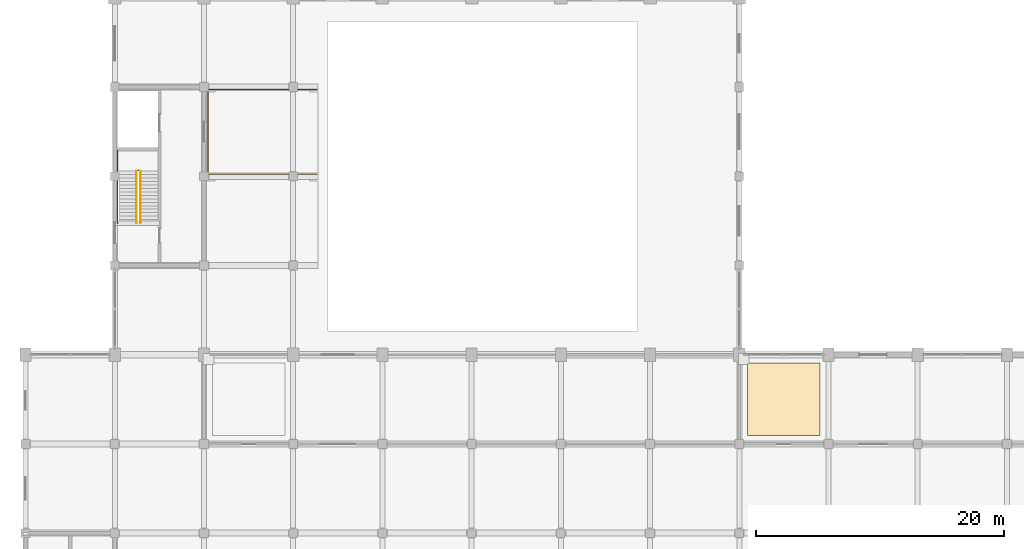
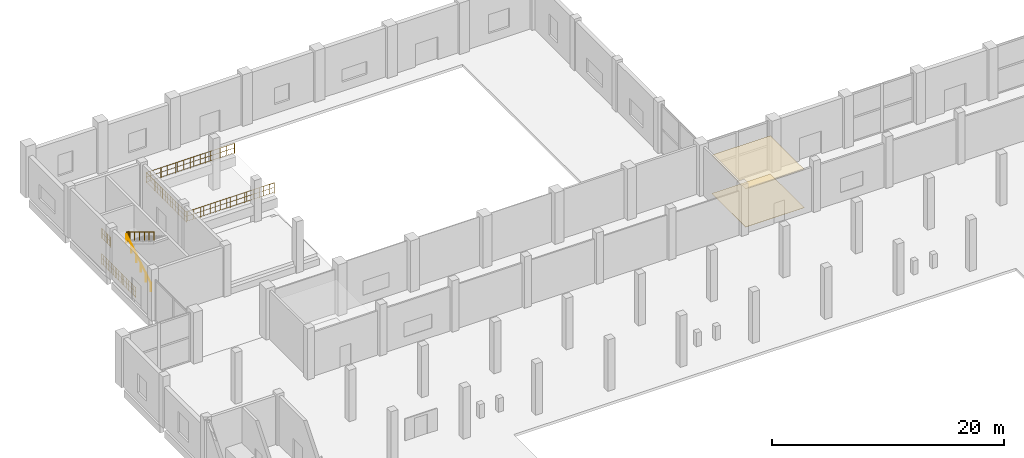
# One storey, part 64 of 70: 6 railings, 2 coverings.
"""IFC4 building model written with IfcOpenShell, lengths in metres."""

import ifcopenshell
import ifcopenshell.guid

model = None  # the IFC model being written
_history = None  # IfcOwnerHistory: only IFC2X3 demands one
_inside = {}  # id of a spatial element -> (the spatial element, [elements in it])
_under = {}  # id of a project, library or spatial element -> (it, [spatial elements below it])
_declared = {}  # id of a project -> (the project, [libraries it declares])
_typed = {}  # id of a type object -> (the type object, [elements of that type])
_made_of = {}  # id of a material, layer set ... -> (it, [elements and type objects made of it])


def new_model(schema):
    """Start an empty IFC model of exactly this schema.

    Asked for "IFC4X3", IfcOpenShell would pick the latest addendum, in which some entities
    have other attributes; the version numbers below select the first issue.
    IFC2X3 requires an IfcOwnerHistory on every rooted entity: one is made here for all.
    """
    global model, _history
    if schema == "IFC4X3":
        model = ifcopenshell.file(schema_version=(4, 3, 0, 0))
    else:
        model = ifcopenshell.file(schema=schema)
    _inside.clear()
    _under.clear()
    _declared.clear()
    _typed.clear()
    _made_of.clear()
    _history = None
    if model.schema == "IFC2X3":
        org = make("IfcOrganization", Name="unknown")
        user = make(
            "IfcPersonAndOrganization",
            ThePerson=make("IfcPerson", FamilyName="unknown"),
            TheOrganization=org,
        )
        app = make(
            "IfcApplication",
            ApplicationDeveloper=org,
            Version="unknown",
            ApplicationFullName="unknown",
            ApplicationIdentifier="unknown",
        )
        _history = make(
            "IfcOwnerHistory",
            OwningUser=user,
            OwningApplication=app,
            ChangeAction="ADDED",
            CreationDate=0,
        )
    return model


def make(cls, **values):
    """One entity of the class cls with the attributes given. An attribute that is None is left unset."""
    return model.create_entity(
        cls, **{name: value for name, value in values.items() if value is not None}
    )


def rooted(cls, **values):
    """An entity with a GlobalId (a new one), such as an element, a storey or a relation."""
    return make(cls, GlobalId=ifcopenshell.guid.new(), OwnerHistory=_history, **values)


def si_unit(unit_type, name, prefix=None):
    """IfcSIUnit, for example si_unit("LENGTHUNIT", "METRE", prefix="MILLI")."""
    return make("IfcSIUnit", UnitType=unit_type, Prefix=prefix, Name=name)


def assignment(units):
    """IfcUnitAssignment: the units of a project."""
    return None if units is None else make("IfcUnitAssignment", Units=units)


def point(xyz):
    """IfcCartesianPoint."""
    return None if xyz is None else make("IfcCartesianPoint", Coordinates=xyz)


def direction(xyz):
    """IfcDirection."""
    return None if xyz is None else make("IfcDirection", DirectionRatios=xyz)


def frame(location, z_axis=None, x_axis=None):
    """IfcAxis2Placement3D, a coordinate frame: its origin and axes. An axis left out is left unset."""
    return make(
        "IfcAxis2Placement3D",
        Location=point(location),
        Axis=direction(z_axis),
        RefDirection=direction(x_axis),
    )


def frame_2d(location, x_axis=None):
    """IfcAxis2Placement2D, a coordinate frame in the plane: its origin and x axis."""
    return make(
        "IfcAxis2Placement2D", Location=point(location), RefDirection=direction(x_axis)
    )


def origin():
    """The frame at (0, 0, 0) with its axes left unset."""
    return frame((0.0, 0.0, 0.0))


def origin_2d():
    """The frame at (0, 0) in the plane with its x axis left unset."""
    return frame_2d((0.0, 0.0))


def place(relative_to, where):
    """IfcLocalPlacement: puts the frame where relative to a parent placement (None: the world)."""
    return make(
        "IfcLocalPlacement", PlacementRelTo=relative_to, RelativePlacement=where
    )


def context(
    kind, dimensions, precision=None, world=None, true_north=None, identifier=None
):
    """IfcGeometricRepresentationContext, for example the 3D "Model" context."""
    return make(
        "IfcGeometricRepresentationContext",
        ContextIdentifier=identifier,
        ContextType=kind,
        CoordinateSpaceDimension=dimensions,
        Precision=precision,
        WorldCoordinateSystem=world,
        TrueNorth=true_north,
    )


def subcontext(parent, identifier, kind, view, scale=None):
    """IfcGeometricRepresentationSubContext, for example "Body" below "Model"."""
    return make(
        "IfcGeometricRepresentationSubContext",
        ContextIdentifier=identifier,
        ContextType=kind,
        ParentContext=parent,
        TargetScale=scale,
        TargetView=view,
    )


def project(units=None, contexts=None):
    """IfcProject with its units and contexts."""
    return rooted(
        "IfcProject",
        Name="project",
        RepresentationContexts=contexts,
        UnitsInContext=assignment(units),
    )


def spatial(cls, under=None, at=None, **own):
    """A site, building, storey or space (cls), placed at a placement, below another one or the project."""
    s = rooted(cls, ObjectPlacement=at, **own)
    if under is not None:
        _under.setdefault(under.id(), (under, []))[1].append(s)
    return s


def polyline(points):
    """IfcPolyline through the points."""
    return make("IfcPolyline", Points=[point(p) for p in points])


def profile(cls, at=None, kind="AREA", **sizes):
    """A parametric profile (cls). Its sizes go by their IFC names, for example OverallWidth=200.0."""
    return make(cls, ProfileType=kind, Position=at, **sizes)


def circle(**sizes):
    """IfcCircleProfileDef."""
    return profile("IfcCircleProfileDef", **sizes)


def outline(outer, holes=None, kind="AREA"):
    """IfcArbitraryClosedProfileDef: a profile drawn as a closed curve; with holes, ...WithVoids."""
    if holes is None:
        return make("IfcArbitraryClosedProfileDef", ProfileType=kind, OuterCurve=outer)
    return make(
        "IfcArbitraryProfileDefWithVoids",
        ProfileType=kind,
        OuterCurve=outer,
        InnerCurves=holes,
    )


def extrude(swept, where, along, depth):
    """IfcExtrudedAreaSolid: the profile swept, set in the frame where, extruded along a direction by depth."""
    return make(
        "IfcExtrudedAreaSolid",
        SweptArea=swept,
        Position=where,
        ExtrudedDirection=direction(along),
        Depth=depth,
    )


def shape(context_of_items, identifier, shape_type, items):
    """IfcShapeRepresentation: the items that make up one representation, for example the "Body"."""
    return make(
        "IfcShapeRepresentation",
        ContextOfItems=context_of_items,
        RepresentationIdentifier=identifier,
        RepresentationType=shape_type,
        Items=items,
    )


def material(Name=None, Category=None):
    """IfcMaterial."""
    return make("IfcMaterial", Name=Name, Category=Category)


def layer(
    of_material, thickness, ventilated=None, Name=None, Category=None, Priority=None
):
    """IfcMaterialLayer: one layer of a wall or slab, of a material (None: an air gap)."""
    return make(
        "IfcMaterialLayer",
        Material=of_material,
        LayerThickness=thickness,
        IsVentilated=ventilated,
        Name=Name,
        Category=Category,
        Priority=Priority,
    )


def layer_set(layers, Name=None):
    """IfcMaterialLayerSet."""
    return make("IfcMaterialLayerSet", MaterialLayers=layers, LayerSetName=Name)


def made_of(thing, what):
    """Note that an element or type object is made of a material, layer set ...; save() writes the relation."""
    if what is not None:
        _made_of.setdefault(what.id(), (what, []))[1].append(thing)
    return thing


def type_object(cls, material=None, **own):
    """A type object (cls), such as IfcWallType, which elements share."""
    return made_of(rooted(cls, **own), material)


def element(
    cls,
    number,
    at=None,
    inside=None,
    cuts=None,
    type_object=None,
    material=None,
    context=None,
    identifier="Body",
    shape_type=None,
    held_by="IfcProductDefinitionShape",
    body=None,
    shapes=None,
    **own,
):
    """One element of the class cls, such as IfcWall. Its Tag is "e" and its number.

    at: its placement. inside: the storey or other place that contains it. cuts: it is an
    opening in that element (IfcRelVoidsElement). A single representation is given by context,
    identifier, shape_type and body (its items); several are given by shapes. held_by: the class
    of the entity that holds the representations. save() writes the other relations.
    """
    e = rooted(cls, Tag="e%d" % number, ObjectPlacement=at, **own)
    if body is not None:
        shapes = [shape(context, identifier, shape_type, body)]
    if shapes is not None:
        e.Representation = make(held_by, Representations=shapes)
    if inside is not None:
        _inside.setdefault(inside.id(), (inside, []))[1].append(e)
    if cuts is not None:
        rooted(
            "IfcRelVoidsElement", RelatingBuildingElement=cuts, RelatedOpeningElement=e
        )
    if type_object is not None:
        _typed.setdefault(type_object.id(), (type_object, []))[1].append(e)
    return made_of(e, material)


def aggregate(whole, parts):
    """IfcRelAggregates: a whole, such as a stair, and the parts it consists of."""
    return rooted("IfcRelAggregates", RelatingObject=whole, RelatedObjects=parts)


def save(model, path):
    """Write the relations noted so far, then the file.

    IfcRelAggregates (storeys below a building ...), IfcRelContainedInSpatialStructure (elements
    in a storey), IfcRelDefinesByType, IfcRelAssociatesMaterial and IfcRelDeclares: one each for
    every whole, place, type object, material and project.
    """
    for whole, parts in _under.values():
        aggregate(whole, parts)
    for where, things in _inside.values():
        rooted(
            "IfcRelContainedInSpatialStructure",
            RelatedElements=things,
            RelatingStructure=where,
        )
    for kind, things in _typed.values():
        rooted("IfcRelDefinesByType", RelatedObjects=things, RelatingType=kind)
    for what, things in _made_of.values():
        rooted("IfcRelAssociatesMaterial", RelatedObjects=things, RelatingMaterial=what)
    for by, libraries in _declared.values():
        rooted("IfcRelDeclares", RelatingContext=by, RelatedDefinitions=libraries)
    model.write(path)


model = new_model("IFC4")

# Units and contexts
model_context = context("Model", 3, precision=1e-05, world=origin(), true_north=direction((0.0, 1.0)))
body_context = subcontext(model_context, "Body", "Model", "MODEL_VIEW")
ifc_project = project(units=[si_unit("LENGTHUNIT", "METRE"), si_unit("AREAUNIT", "SQUARE_METRE"), si_unit("VOLUMEUNIT", "CUBIC_METRE"), si_unit("PLANEANGLEUNIT", "RADIAN"), si_unit("MASSUNIT", "GRAM", prefix="KILO")], contexts=[model_context])

# Site, building, storey
site_placement = place(None, origin())
site = spatial("IfcSite", under=ifc_project, at=site_placement, CompositionType="ELEMENT")
building_placement = place(site_placement, origin())
building = spatial("IfcBuilding", under=site, at=building_placement, Name="Vesperath Aquatics Centre", CompositionType="ELEMENT")
storey_placement = place(building_placement, origin())
storey = spatial("IfcBuildingStorey", under=building, at=storey_placement, Name="L00", CompositionType="ELEMENT", Elevation=0.0)

# Coverings
ifc_material_1 = material(Name="Perforated moisture-resistant acoustic mineral-fibre ceiling", Category="gypsum")
ifc_layer_1 = layer(ifc_material_1, 0.044921875)
ifc_layer_set_1 = layer_set([ifc_layer_1], Name="Perforated moisture-resistant acoustic mineral-fibre ceiling")
covering_type_1 = type_object("IfcCoveringType", Name="CV-CLG01", PredefinedType="CEILING", material=ifc_layer_set_1)
covering_1_placement = place(storey_placement, frame((0.0, 0.0, 4.02490234375)))
element("IfcCovering", 1, at=covering_1_placement, inside=storey, type_object=covering_type_1, Name="Acoustic Suspended Ceiling CLG1 L00_MEDIA_MIX", PredefinedType="CEILING", context=body_context, shape_type="SweptSolid", body=[
    extrude(outline(polyline([(58.280029296875, 79.8798828125), (64.1201171875, 79.8798828125), (64.1201171875, 85.719970703125), (58.280029296875, 85.719970703125), (58.280029296875, 79.8798828125)])), origin(), (0.0, 0.0, 1.0), 0.045166015625),
])
ifc_material_2 = material(Name="Slip-resistant vitrified ceramic and terrazzo flooring", Category="ceramic")
ifc_layer_2 = layer(ifc_material_2, 0.030029296875)
ifc_layer_set_2 = layer_set([ifc_layer_2], Name="Slip-resistant vitrified ceramic and terrazzo flooring")
covering_type_2 = type_object("IfcCoveringType", Name="CV-FLR01", PredefinedType="FLOORING", material=ifc_layer_set_2)
covering_2_placement = place(storey_placement, origin())
element("IfcCovering", 2, at=covering_2_placement, inside=storey, type_object=covering_type_2, Name="Slip-Resistant Floor Finish FLR1 L00_MEDIA_MIX", PredefinedType="FLOORING", context=body_context, shape_type="SweptSolid", body=[
    extrude(outline(polyline([(58.280029296875, 79.8798828125), (64.1201171875, 79.8798828125), (64.1201171875, 85.719970703125), (58.280029296875, 85.719970703125), (58.280029296875, 79.8798828125)])), origin(), (0.0, 0.0, 1.0), 0.030029296875),
])

# Railings
ifc_material_3 = material(Name="Powder-coated galvanized steel safety guard", Category="steel")
railing_type_1 = type_object("IfcRailingType", Name="RL-GRD01", PredefinedType="GUARDRAIL", material=ifc_material_3)
railing_1_placement = place(storey_placement, frame((8.97998046875, 101.260009765625, 2.699951171875)))
element("IfcRailing", 3, at=railing_1_placement, inside=storey, type_object=railing_type_1, Name="Stair ST3 Half-Landing Slot Guard GR02 L00", PredefinedType="GUARDRAIL", context=body_context, shape_type="SweptSolid", body=[
    extrude(circle(Radius=0.02392578125, at=origin_2d()), frame((0.0, 0.0, 1.0859375), z_axis=(1.0, 0.0, 0.0), x_axis=(0.0, 1.0, 0.0)), (0.0, 0.0, 1.0), 0.260009765625),
    extrude(circle(Radius=0.01611328125, at=origin_2d()), frame((0.0, 0.0, 0.10009765625), z_axis=(1.0, 0.0, 0.0), x_axis=(0.0, 1.0, 0.0)), (0.0, 0.0, 1.0), 0.260009765625),
    extrude(circle(Radius=0.01611328125, at=origin_2d()), frame((0.0, 0.0, 0.610595703125), z_axis=(1.0, 0.0, 0.0), x_axis=(0.0, 1.0, 0.0)), (0.0, 0.0, 1.0), 0.260009765625),
    extrude(circle(Radius=0.009033203125, at=origin_2d()), frame((0.086669921875, 0.0, 0.10009765625)), (0.0, 0.0, 1.0), 0.9619140625),
    extrude(circle(Radius=0.009033203125, at=origin_2d()), frame((0.17333984375, 0.0, 0.10009765625)), (0.0, 0.0, 1.0), 0.9619140625),
    extrude(circle(Radius=0.02197265625, at=origin_2d()), origin(), (0.0, 0.0, 1.0), 1.0859375),
    extrude(circle(Radius=0.02197265625, at=origin_2d()), frame((0.260009765625, 0.0, 0.0)), (0.0, 0.0, 1.0), 1.0859375),
])
railing_2_placement = place(storey_placement, frame((7.419921875, 101.260009765625, 2.699951171875)))
element("IfcRailing", 4, at=railing_2_placement, inside=storey, type_object=railing_type_1, Name="Stair ST3 Half-Landing Wall Guard GR02 L00", PredefinedType="GUARDRAIL", context=body_context, shape_type="SweptSolid", body=[
    extrude(circle(Radius=0.02392578125, at=origin_2d()), frame((0.0, 0.0, 1.0859375), z_axis=(0.0, 1.0, 0.0), x_axis=(-1.0, 0.0, 0.0)), (0.0, 0.0, 1.0), 1.60009765625),
    extrude(circle(Radius=0.01611328125, at=origin_2d()), frame((0.0, 0.0, 0.10009765625), z_axis=(0.0, 1.0, 0.0), x_axis=(-1.0, 0.0, 0.0)), (0.0, 0.0, 1.0), 1.60009765625),
    extrude(circle(Radius=0.01611328125, at=origin_2d()), frame((0.0, 0.0, 0.610595703125), z_axis=(0.0, 1.0, 0.0), x_axis=(-1.0, 0.0, 0.0)), (0.0, 0.0, 1.0), 1.60009765625),
    extrude(circle(Radius=0.009033203125, at=origin_2d()), frame((0.0, 0.106689453125, 0.10009765625)), (0.0, 0.0, 1.0), 0.9619140625),
    extrude(circle(Radius=0.009033203125, at=origin_2d()), frame((0.0, 0.21337890625, 0.10009765625)), (0.0, 0.0, 1.0), 0.9619140625),
    extrude(circle(Radius=0.009033203125, at=origin_2d()), frame((0.0, 0.320068359375, 0.10009765625)), (0.0, 0.0, 1.0), 0.9619140625),
    extrude(circle(Radius=0.009033203125, at=origin_2d()), frame((0.0, 0.4267578125, 0.10009765625)), (0.0, 0.0, 1.0), 0.9619140625),
    extrude(circle(Radius=0.009033203125, at=origin_2d()), frame((0.0, 0.533447265625, 0.10009765625)), (0.0, 0.0, 1.0), 0.9619140625),
    extrude(circle(Radius=0.009033203125, at=origin_2d()), frame((0.0, 0.64013671875, 0.10009765625)), (0.0, 0.0, 1.0), 0.9619140625),
    extrude(circle(Radius=0.009033203125, at=origin_2d()), frame((0.0, 0.746826171875, 0.10009765625)), (0.0, 0.0, 1.0), 0.9619140625),
    extrude(circle(Radius=0.009033203125, at=origin_2d()), frame((0.0, 0.853271484375, 0.10009765625)), (0.0, 0.0, 1.0), 0.9619140625),
    extrude(circle(Radius=0.009033203125, at=origin_2d()), frame((0.0, 0.9599609375, 0.10009765625)), (0.0, 0.0, 1.0), 0.9619140625),
    extrude(circle(Radius=0.009033203125, at=origin_2d()), frame((0.0, 1.066650390625, 0.10009765625)), (0.0, 0.0, 1.0), 0.9619140625),
    extrude(circle(Radius=0.009033203125, at=origin_2d()), frame((0.0, 1.17333984375, 0.10009765625)), (0.0, 0.0, 1.0), 0.9619140625),
    extrude(circle(Radius=0.009033203125, at=origin_2d()), frame((0.0, 1.280029296875, 0.10009765625)), (0.0, 0.0, 1.0), 0.9619140625),
    extrude(circle(Radius=0.009033203125, at=origin_2d()), frame((0.0, 1.38671875, 0.10009765625)), (0.0, 0.0, 1.0), 0.9619140625),
    extrude(circle(Radius=0.009033203125, at=origin_2d()), frame((0.0, 1.493408203125, 0.10009765625)), (0.0, 0.0, 1.0), 0.9619140625),
    extrude(circle(Radius=0.02197265625, at=origin_2d()), origin(), (0.0, 0.0, 1.0), 1.0859375),
    extrude(circle(Radius=0.02197265625, at=origin_2d()), frame((0.0, 0.800048828125, 0.0)), (0.0, 0.0, 1.0), 1.0859375),
    extrude(circle(Radius=0.02197265625, at=origin_2d()), frame((0.0, 1.60009765625, 0.0)), (0.0, 0.0, 1.0), 1.0859375),
])
railing_3_placement = place(storey_placement, frame((7.419921875, 97.0, 0.0)))
element("IfcRailing", 5, at=railing_3_placement, inside=storey, type_object=railing_type_1, Name="Stair ST3 Shaft Side Guard GR02 L00", PredefinedType="GUARDRAIL", context=body_context, shape_type="SweptSolid", body=[
    extrude(circle(Radius=0.02392578125, at=origin_2d()), frame((0.0, 0.0, 1.0859375), z_axis=(0.0, 1.0, 0.0), x_axis=(-1.0, 0.0, 0.0)), (0.0, 0.0, 1.0), 5.840087890625),
    extrude(circle(Radius=0.01611328125, at=origin_2d()), frame((0.0, 0.0, 0.10009765625), z_axis=(0.0, 1.0, 0.0), x_axis=(-1.0, 0.0, 0.0)), (0.0, 0.0, 1.0), 5.840087890625),
    extrude(circle(Radius=0.01611328125, at=origin_2d()), frame((0.0, 0.0, 0.610595703125), z_axis=(0.0, 1.0, 0.0), x_axis=(-1.0, 0.0, 0.0)), (0.0, 0.0, 1.0), 5.840087890625),
    extrude(circle(Radius=0.009033203125, at=origin_2d()), frame((0.0, 0.108154296875, 0.10009765625)), (0.0, 0.0, 1.0), 0.9619140625),
    extrude(circle(Radius=0.009033203125, at=origin_2d()), frame((0.0, 0.324462890625, 0.10009765625)), (0.0, 0.0, 1.0), 0.9619140625),
    extrude(circle(Radius=0.009033203125, at=origin_2d()), frame((0.0, 0.540771484375, 0.10009765625)), (0.0, 0.0, 1.0), 0.9619140625),
    extrude(circle(Radius=0.009033203125, at=origin_2d()), frame((0.0, 0.757080078125, 0.10009765625)), (0.0, 0.0, 1.0), 0.9619140625),
    extrude(circle(Radius=0.009033203125, at=origin_2d()), frame((0.0, 0.973388671875, 0.10009765625)), (0.0, 0.0, 1.0), 0.9619140625),
    extrude(circle(Radius=0.009033203125, at=origin_2d()), frame((0.0, 1.189697265625, 0.10009765625)), (0.0, 0.0, 1.0), 0.9619140625),
    extrude(circle(Radius=0.009033203125, at=origin_2d()), frame((0.0, 1.406005859375, 0.10009765625)), (0.0, 0.0, 1.0), 0.9619140625),
    extrude(circle(Radius=0.009033203125, at=origin_2d()), frame((0.0, 1.622314453125, 0.10009765625)), (0.0, 0.0, 1.0), 0.9619140625),
    extrude(circle(Radius=0.009033203125, at=origin_2d()), frame((0.0, 1.838623046875, 0.10009765625)), (0.0, 0.0, 1.0), 0.9619140625),
    extrude(circle(Radius=0.009033203125, at=origin_2d()), frame((0.0, 2.054931640625, 0.10009765625)), (0.0, 0.0, 1.0), 0.9619140625),
    extrude(circle(Radius=0.009033203125, at=origin_2d()), frame((0.0, 2.271240234375, 0.10009765625)), (0.0, 0.0, 1.0), 0.9619140625),
    extrude(circle(Radius=0.009033203125, at=origin_2d()), frame((0.0, 2.487548828125, 0.10009765625)), (0.0, 0.0, 1.0), 0.9619140625),
    extrude(circle(Radius=0.009033203125, at=origin_2d()), frame((0.0, 2.703857421875, 0.10009765625)), (0.0, 0.0, 1.0), 0.9619140625),
    extrude(circle(Radius=0.009033203125, at=origin_2d()), frame((0.0, 2.919921875, 0.10009765625)), (0.0, 0.0, 1.0), 0.9619140625),
    extrude(circle(Radius=0.009033203125, at=origin_2d()), frame((0.0, 3.13623046875, 0.10009765625)), (0.0, 0.0, 1.0), 0.9619140625),
    extrude(circle(Radius=0.009033203125, at=origin_2d()), frame((0.0, 3.3525390625, 0.10009765625)), (0.0, 0.0, 1.0), 0.9619140625),
    extrude(circle(Radius=0.009033203125, at=origin_2d()), frame((0.0, 3.56884765625, 0.10009765625)), (0.0, 0.0, 1.0), 0.9619140625),
    extrude(circle(Radius=0.009033203125, at=origin_2d()), frame((0.0, 3.78515625, 0.10009765625)), (0.0, 0.0, 1.0), 0.9619140625),
    extrude(circle(Radius=0.009033203125, at=origin_2d()), frame((0.0, 4.00146484375, 0.10009765625)), (0.0, 0.0, 1.0), 0.9619140625),
    extrude(circle(Radius=0.009033203125, at=origin_2d()), frame((0.0, 4.2177734375, 0.10009765625)), (0.0, 0.0, 1.0), 0.9619140625),
    extrude(circle(Radius=0.009033203125, at=origin_2d()), frame((0.0, 4.43408203125, 0.10009765625)), (0.0, 0.0, 1.0), 0.9619140625),
    extrude(circle(Radius=0.009033203125, at=origin_2d()), frame((0.0, 4.650390625, 0.10009765625)), (0.0, 0.0, 1.0), 0.9619140625),
    extrude(circle(Radius=0.009033203125, at=origin_2d()), frame((0.0, 4.86669921875, 0.10009765625)), (0.0, 0.0, 1.0), 0.9619140625),
    extrude(circle(Radius=0.009033203125, at=origin_2d()), frame((0.0, 5.0830078125, 0.10009765625)), (0.0, 0.0, 1.0), 0.9619140625),
    extrude(circle(Radius=0.009033203125, at=origin_2d()), frame((0.0, 5.29931640625, 0.10009765625)), (0.0, 0.0, 1.0), 0.9619140625),
    extrude(circle(Radius=0.009033203125, at=origin_2d()), frame((0.0, 5.515625, 0.10009765625)), (0.0, 0.0, 1.0), 0.9619140625),
    extrude(circle(Radius=0.009033203125, at=origin_2d()), frame((0.0, 5.73193359375, 0.10009765625)), (0.0, 0.0, 1.0), 0.9619140625),
    extrude(circle(Radius=0.02197265625, at=origin_2d()), origin(), (0.0, 0.0, 1.0), 1.0859375),
    extrude(circle(Radius=0.02197265625, at=origin_2d()), frame((0.0, 1.16796875, 0.0)), (0.0, 0.0, 1.0), 1.0859375),
    extrude(circle(Radius=0.02197265625, at=origin_2d()), frame((0.0, 2.3359375, 0.0)), (0.0, 0.0, 1.0), 1.0859375),
    extrude(circle(Radius=0.02197265625, at=origin_2d()), frame((0.0, 3.504150390625, 0.0)), (0.0, 0.0, 1.0), 1.0859375),
    extrude(circle(Radius=0.02197265625, at=origin_2d()), frame((0.0, 4.672119140625, 0.0)), (0.0, 0.0, 1.0), 1.0859375),
    extrude(circle(Radius=0.02197265625, at=origin_2d()), frame((0.0, 5.840087890625, 0.0)), (0.0, 0.0, 1.0), 1.0859375),
])
railing_4_placement = place(storey_placement, frame((23.5, 100.949951171875, 3.0)))
element("IfcRailing", 6, at=railing_4_placement, inside=storey, type_object=railing_type_1, Name="Safety Guardrail GR02 GRD_DP_3M", PredefinedType="GUARDRAIL", context=body_context, shape_type="SweptSolid", body=[
    extrude(circle(Radius=0.02392578125, at=origin_2d()), frame((0.0, 0.0, 1.0859375), z_axis=(-1.0, 0.0, 0.0), x_axis=(0.0, -1.0, 0.0)), (0.0, 0.0, 1.0), 8.780029296875),
    extrude(circle(Radius=0.01611328125, at=origin_2d()), frame((0.0, 0.0, 0.10009765625), z_axis=(-1.0, 0.0, 0.0), x_axis=(0.0, -1.0, 0.0)), (0.0, 0.0, 1.0), 8.780029296875),
    extrude(circle(Radius=0.01611328125, at=origin_2d()), frame((0.0, 0.0, 0.610595703125), z_axis=(-1.0, 0.0, 0.0), x_axis=(0.0, -1.0, 0.0)), (0.0, 0.0, 1.0), 8.780029296875),
    extrude(circle(Radius=0.009033203125, at=origin_2d()), frame((-0.10986328125, 0.0, 0.10009765625)), (0.0, 0.0, 1.0), 0.9619140625),
    extrude(circle(Radius=0.009033203125, at=origin_2d()), frame((-0.43896484375, 0.0, 0.10009765625)), (0.0, 0.0, 1.0), 0.9619140625),
    extrude(circle(Radius=0.009033203125, at=origin_2d()), frame((-0.768310546875, 0.0, 0.10009765625)), (0.0, 0.0, 1.0), 0.9619140625),
    extrude(circle(Radius=0.009033203125, at=origin_2d()), frame((-1.097412109375, 0.0, 0.10009765625)), (0.0, 0.0, 1.0), 0.9619140625),
    extrude(circle(Radius=0.009033203125, at=origin_2d()), frame((-1.4267578125, 0.0, 0.10009765625)), (0.0, 0.0, 1.0), 0.9619140625),
    extrude(circle(Radius=0.009033203125, at=origin_2d()), frame((-1.756103515625, 0.0, 0.10009765625)), (0.0, 0.0, 1.0), 0.9619140625),
    extrude(circle(Radius=0.009033203125, at=origin_2d()), frame((-2.085205078125, 0.0, 0.10009765625)), (0.0, 0.0, 1.0), 0.9619140625),
    extrude(circle(Radius=0.009033203125, at=origin_2d()), frame((-2.41455078125, 0.0, 0.10009765625)), (0.0, 0.0, 1.0), 0.9619140625),
    extrude(circle(Radius=0.009033203125, at=origin_2d()), frame((-2.74365234375, 0.0, 0.10009765625)), (0.0, 0.0, 1.0), 0.9619140625),
    extrude(circle(Radius=0.009033203125, at=origin_2d()), frame((-3.072998046875, 0.0, 0.10009765625)), (0.0, 0.0, 1.0), 0.9619140625),
    extrude(circle(Radius=0.009033203125, at=origin_2d()), frame((-3.40234375, 0.0, 0.10009765625)), (0.0, 0.0, 1.0), 0.9619140625),
    extrude(circle(Radius=0.009033203125, at=origin_2d()), frame((-3.7314453125, 0.0, 0.10009765625)), (0.0, 0.0, 1.0), 0.9619140625),
    extrude(circle(Radius=0.009033203125, at=origin_2d()), frame((-4.060791015625, 0.0, 0.10009765625)), (0.0, 0.0, 1.0), 0.9619140625),
    extrude(circle(Radius=0.009033203125, at=origin_2d()), frame((-4.39013671875, 0.0, 0.10009765625)), (0.0, 0.0, 1.0), 0.9619140625),
    extrude(circle(Radius=0.009033203125, at=origin_2d()), frame((-4.71923828125, 0.0, 0.10009765625)), (0.0, 0.0, 1.0), 0.9619140625),
    extrude(circle(Radius=0.009033203125, at=origin_2d()), frame((-5.048583984375, 0.0, 0.10009765625)), (0.0, 0.0, 1.0), 0.9619140625),
    extrude(circle(Radius=0.009033203125, at=origin_2d()), frame((-5.377685546875, 0.0, 0.10009765625)), (0.0, 0.0, 1.0), 0.9619140625),
    extrude(circle(Radius=0.009033203125, at=origin_2d()), frame((-5.70703125, 0.0, 0.10009765625)), (0.0, 0.0, 1.0), 0.9619140625),
    extrude(circle(Radius=0.009033203125, at=origin_2d()), frame((-6.036376953125, 0.0, 0.10009765625)), (0.0, 0.0, 1.0), 0.9619140625),
    extrude(circle(Radius=0.009033203125, at=origin_2d()), frame((-6.365478515625, 0.0, 0.10009765625)), (0.0, 0.0, 1.0), 0.9619140625),
    extrude(circle(Radius=0.009033203125, at=origin_2d()), frame((-6.69482421875, 0.0, 0.10009765625)), (0.0, 0.0, 1.0), 0.9619140625),
    extrude(circle(Radius=0.009033203125, at=origin_2d()), frame((-7.02392578125, 0.0, 0.10009765625)), (0.0, 0.0, 1.0), 0.9619140625),
    extrude(circle(Radius=0.009033203125, at=origin_2d()), frame((-7.353271484375, 0.0, 0.10009765625)), (0.0, 0.0, 1.0), 0.9619140625),
    extrude(circle(Radius=0.009033203125, at=origin_2d()), frame((-7.6826171875, 0.0, 0.10009765625)), (0.0, 0.0, 1.0), 0.9619140625),
    extrude(circle(Radius=0.009033203125, at=origin_2d()), frame((-8.01171875, 0.0, 0.10009765625)), (0.0, 0.0, 1.0), 0.9619140625),
    extrude(circle(Radius=0.009033203125, at=origin_2d()), frame((-8.341064453125, 0.0, 0.10009765625)), (0.0, 0.0, 1.0), 0.9619140625),
    extrude(circle(Radius=0.009033203125, at=origin_2d()), frame((-8.670166015625, 0.0, 0.10009765625)), (0.0, 0.0, 1.0), 0.9619140625),
    extrude(circle(Radius=0.02392578125, at=origin_2d()), frame((-8.780029296875, 0.0, 1.0859375), z_axis=(0.0, 1.0, 0.0), x_axis=(-1.0, 0.0, 0.0)), (0.0, 0.0, 1.0), 6.85009765625),
    extrude(circle(Radius=0.01611328125, at=origin_2d()), frame((-8.780029296875, 0.0, 0.10009765625), z_axis=(0.0, 1.0, 0.0), x_axis=(-1.0, 0.0, 0.0)), (0.0, 0.0, 1.0), 6.85009765625),
    extrude(circle(Radius=0.01611328125, at=origin_2d()), frame((-8.780029296875, 0.0, 0.610595703125), z_axis=(0.0, 1.0, 0.0), x_axis=(-1.0, 0.0, 0.0)), (0.0, 0.0, 1.0), 6.85009765625),
    extrude(circle(Radius=0.009033203125, at=origin_2d()), frame((-8.780029296875, 0.108642578125, 0.10009765625)), (0.0, 0.0, 1.0), 0.9619140625),
    extrude(circle(Radius=0.009033203125, at=origin_2d()), frame((-8.780029296875, 0.326171875, 0.10009765625)), (0.0, 0.0, 1.0), 0.9619140625),
    extrude(circle(Radius=0.009033203125, at=origin_2d()), frame((-8.780029296875, 0.543701171875, 0.10009765625)), (0.0, 0.0, 1.0), 0.9619140625),
    extrude(circle(Radius=0.009033203125, at=origin_2d()), frame((-8.780029296875, 0.76123046875, 0.10009765625)), (0.0, 0.0, 1.0), 0.9619140625),
    extrude(circle(Radius=0.009033203125, at=origin_2d()), frame((-8.780029296875, 0.978515625, 0.10009765625)), (0.0, 0.0, 1.0), 0.9619140625),
    extrude(circle(Radius=0.009033203125, at=origin_2d()), frame((-8.780029296875, 1.196044921875, 0.10009765625)), (0.0, 0.0, 1.0), 0.9619140625),
    extrude(circle(Radius=0.009033203125, at=origin_2d()), frame((-8.780029296875, 1.41357421875, 0.10009765625)), (0.0, 0.0, 1.0), 0.9619140625),
    extrude(circle(Radius=0.009033203125, at=origin_2d()), frame((-8.780029296875, 1.630859375, 0.10009765625)), (0.0, 0.0, 1.0), 0.9619140625),
    extrude(circle(Radius=0.009033203125, at=origin_2d()), frame((-8.780029296875, 1.848388671875, 0.10009765625)), (0.0, 0.0, 1.0), 0.9619140625),
    extrude(circle(Radius=0.009033203125, at=origin_2d()), frame((-8.780029296875, 2.06591796875, 0.10009765625)), (0.0, 0.0, 1.0), 0.9619140625),
    extrude(circle(Radius=0.009033203125, at=origin_2d()), frame((-8.780029296875, 2.283447265625, 0.10009765625)), (0.0, 0.0, 1.0), 0.9619140625),
    extrude(circle(Radius=0.009033203125, at=origin_2d()), frame((-8.780029296875, 2.500732421875, 0.10009765625)), (0.0, 0.0, 1.0), 0.9619140625),
    extrude(circle(Radius=0.009033203125, at=origin_2d()), frame((-8.780029296875, 2.71826171875, 0.10009765625)), (0.0, 0.0, 1.0), 0.9619140625),
    extrude(circle(Radius=0.009033203125, at=origin_2d()), frame((-8.780029296875, 2.935791015625, 0.10009765625)), (0.0, 0.0, 1.0), 0.9619140625),
    extrude(circle(Radius=0.009033203125, at=origin_2d()), frame((-8.780029296875, 3.1533203125, 0.10009765625)), (0.0, 0.0, 1.0), 0.9619140625),
    extrude(circle(Radius=0.009033203125, at=origin_2d()), frame((-8.780029296875, 3.37060546875, 0.10009765625)), (0.0, 0.0, 1.0), 0.9619140625),
    extrude(circle(Radius=0.009033203125, at=origin_2d()), frame((-8.780029296875, 3.588134765625, 0.10009765625)), (0.0, 0.0, 1.0), 0.9619140625),
    extrude(circle(Radius=0.009033203125, at=origin_2d()), frame((-8.780029296875, 3.8056640625, 0.10009765625)), (0.0, 0.0, 1.0), 0.9619140625),
    extrude(circle(Radius=0.009033203125, at=origin_2d()), frame((-8.780029296875, 4.023193359375, 0.10009765625)), (0.0, 0.0, 1.0), 0.9619140625),
    extrude(circle(Radius=0.009033203125, at=origin_2d()), frame((-8.780029296875, 4.240478515625, 0.10009765625)), (0.0, 0.0, 1.0), 0.9619140625),
    extrude(circle(Radius=0.009033203125, at=origin_2d()), frame((-8.780029296875, 4.4580078125, 0.10009765625)), (0.0, 0.0, 1.0), 0.9619140625),
    extrude(circle(Radius=0.009033203125, at=origin_2d()), frame((-8.780029296875, 4.675537109375, 0.10009765625)), (0.0, 0.0, 1.0), 0.9619140625),
    extrude(circle(Radius=0.009033203125, at=origin_2d()), frame((-8.780029296875, 4.892822265625, 0.10009765625)), (0.0, 0.0, 1.0), 0.9619140625),
    extrude(circle(Radius=0.009033203125, at=origin_2d()), frame((-8.780029296875, 5.1103515625, 0.10009765625)), (0.0, 0.0, 1.0), 0.9619140625),
    extrude(circle(Radius=0.009033203125, at=origin_2d()), frame((-8.780029296875, 5.327880859375, 0.10009765625)), (0.0, 0.0, 1.0), 0.9619140625),
    extrude(circle(Radius=0.009033203125, at=origin_2d()), frame((-8.780029296875, 5.54541015625, 0.10009765625)), (0.0, 0.0, 1.0), 0.9619140625),
    extrude(circle(Radius=0.009033203125, at=origin_2d()), frame((-8.780029296875, 5.7626953125, 0.10009765625)), (0.0, 0.0, 1.0), 0.9619140625),
    extrude(circle(Radius=0.009033203125, at=origin_2d()), frame((-8.780029296875, 5.980224609375, 0.10009765625)), (0.0, 0.0, 1.0), 0.9619140625),
    extrude(circle(Radius=0.009033203125, at=origin_2d()), frame((-8.780029296875, 6.19775390625, 0.10009765625)), (0.0, 0.0, 1.0), 0.9619140625),
    extrude(circle(Radius=0.009033203125, at=origin_2d()), frame((-8.780029296875, 6.415283203125, 0.10009765625)), (0.0, 0.0, 1.0), 0.9619140625),
    extrude(circle(Radius=0.009033203125, at=origin_2d()), frame((-8.780029296875, 6.632568359375, 0.10009765625)), (0.0, 0.0, 1.0), 0.9619140625),
    extrude(circle(Radius=0.02392578125, at=origin_2d()), frame((-8.780029296875, 6.85009765625, 1.0859375), z_axis=(1.0, 0.0, 0.0), x_axis=(0.0, 1.0, 0.0)), (0.0, 0.0, 1.0), 8.780029296875),
    extrude(circle(Radius=0.01611328125, at=origin_2d()), frame((-8.780029296875, 6.85009765625, 0.10009765625), z_axis=(1.0, 0.0, 0.0), x_axis=(0.0, 1.0, 0.0)), (0.0, 0.0, 1.0), 8.780029296875),
    extrude(circle(Radius=0.01611328125, at=origin_2d()), frame((-8.780029296875, 6.85009765625, 0.610595703125), z_axis=(1.0, 0.0, 0.0), x_axis=(0.0, 1.0, 0.0)), (0.0, 0.0, 1.0), 8.780029296875),
    extrude(circle(Radius=0.009033203125, at=origin_2d()), frame((-8.670166015625, 6.85009765625, 0.10009765625)), (0.0, 0.0, 1.0), 0.9619140625),
    extrude(circle(Radius=0.009033203125, at=origin_2d()), frame((-8.341064453125, 6.85009765625, 0.10009765625)), (0.0, 0.0, 1.0), 0.9619140625),
    extrude(circle(Radius=0.009033203125, at=origin_2d()), frame((-8.01171875, 6.85009765625, 0.10009765625)), (0.0, 0.0, 1.0), 0.9619140625),
    extrude(circle(Radius=0.009033203125, at=origin_2d()), frame((-7.6826171875, 6.85009765625, 0.10009765625)), (0.0, 0.0, 1.0), 0.9619140625),
    extrude(circle(Radius=0.009033203125, at=origin_2d()), frame((-7.353271484375, 6.85009765625, 0.10009765625)), (0.0, 0.0, 1.0), 0.9619140625),
    extrude(circle(Radius=0.009033203125, at=origin_2d()), frame((-7.02392578125, 6.85009765625, 0.10009765625)), (0.0, 0.0, 1.0), 0.9619140625),
    extrude(circle(Radius=0.009033203125, at=origin_2d()), frame((-6.69482421875, 6.85009765625, 0.10009765625)), (0.0, 0.0, 1.0), 0.9619140625),
    extrude(circle(Radius=0.009033203125, at=origin_2d()), frame((-6.365478515625, 6.85009765625, 0.10009765625)), (0.0, 0.0, 1.0), 0.9619140625),
    extrude(circle(Radius=0.009033203125, at=origin_2d()), frame((-6.036376953125, 6.85009765625, 0.10009765625)), (0.0, 0.0, 1.0), 0.9619140625),
    extrude(circle(Radius=0.009033203125, at=origin_2d()), frame((-5.70703125, 6.85009765625, 0.10009765625)), (0.0, 0.0, 1.0), 0.9619140625),
    extrude(circle(Radius=0.009033203125, at=origin_2d()), frame((-5.377685546875, 6.85009765625, 0.10009765625)), (0.0, 0.0, 1.0), 0.9619140625),
    extrude(circle(Radius=0.009033203125, at=origin_2d()), frame((-5.048583984375, 6.85009765625, 0.10009765625)), (0.0, 0.0, 1.0), 0.9619140625),
    extrude(circle(Radius=0.009033203125, at=origin_2d()), frame((-4.71923828125, 6.85009765625, 0.10009765625)), (0.0, 0.0, 1.0), 0.9619140625),
    extrude(circle(Radius=0.009033203125, at=origin_2d()), frame((-4.39013671875, 6.85009765625, 0.10009765625)), (0.0, 0.0, 1.0), 0.9619140625),
    extrude(circle(Radius=0.009033203125, at=origin_2d()), frame((-4.060791015625, 6.85009765625, 0.10009765625)), (0.0, 0.0, 1.0), 0.9619140625),
    extrude(circle(Radius=0.009033203125, at=origin_2d()), frame((-3.7314453125, 6.85009765625, 0.10009765625)), (0.0, 0.0, 1.0), 0.9619140625),
    extrude(circle(Radius=0.009033203125, at=origin_2d()), frame((-3.40234375, 6.85009765625, 0.10009765625)), (0.0, 0.0, 1.0), 0.9619140625),
    extrude(circle(Radius=0.009033203125, at=origin_2d()), frame((-3.072998046875, 6.85009765625, 0.10009765625)), (0.0, 0.0, 1.0), 0.9619140625),
    extrude(circle(Radius=0.009033203125, at=origin_2d()), frame((-2.74365234375, 6.85009765625, 0.10009765625)), (0.0, 0.0, 1.0), 0.9619140625),
    extrude(circle(Radius=0.009033203125, at=origin_2d()), frame((-2.41455078125, 6.85009765625, 0.10009765625)), (0.0, 0.0, 1.0), 0.9619140625),
    extrude(circle(Radius=0.009033203125, at=origin_2d()), frame((-2.085205078125, 6.85009765625, 0.10009765625)), (0.0, 0.0, 1.0), 0.9619140625),
    extrude(circle(Radius=0.009033203125, at=origin_2d()), frame((-1.756103515625, 6.85009765625, 0.10009765625)), (0.0, 0.0, 1.0), 0.9619140625),
    extrude(circle(Radius=0.009033203125, at=origin_2d()), frame((-1.4267578125, 6.85009765625, 0.10009765625)), (0.0, 0.0, 1.0), 0.9619140625),
    extrude(circle(Radius=0.009033203125, at=origin_2d()), frame((-1.097412109375, 6.85009765625, 0.10009765625)), (0.0, 0.0, 1.0), 0.9619140625),
    extrude(circle(Radius=0.009033203125, at=origin_2d()), frame((-0.768310546875, 6.85009765625, 0.10009765625)), (0.0, 0.0, 1.0), 0.9619140625),
    extrude(circle(Radius=0.009033203125, at=origin_2d()), frame((-0.43896484375, 6.85009765625, 0.10009765625)), (0.0, 0.0, 1.0), 0.9619140625),
    extrude(circle(Radius=0.009033203125, at=origin_2d()), frame((-0.10986328125, 6.85009765625, 0.10009765625)), (0.0, 0.0, 1.0), 0.9619140625),
    extrude(circle(Radius=0.02197265625, at=origin_2d()), origin(), (0.0, 0.0, 1.0), 1.0859375),
    extrude(circle(Radius=0.02197265625, at=origin_2d()), frame((-1.46337890625, 0.0, 0.0)), (0.0, 0.0, 1.0), 1.0859375),
    extrude(circle(Radius=0.02197265625, at=origin_2d()), frame((-2.9267578125, 0.0, 0.0)), (0.0, 0.0, 1.0), 1.0859375),
    extrude(circle(Radius=0.02197265625, at=origin_2d()), frame((-4.39013671875, 0.0, 0.0)), (0.0, 0.0, 1.0), 1.0859375),
    extrude(circle(Radius=0.02197265625, at=origin_2d()), frame((-5.853271484375, 0.0, 0.0)), (0.0, 0.0, 1.0), 1.0859375),
    extrude(circle(Radius=0.02197265625, at=origin_2d()), frame((-7.316650390625, 0.0, 0.0)), (0.0, 0.0, 1.0), 1.0859375),
    extrude(circle(Radius=0.02197265625, at=origin_2d()), frame((-8.780029296875, 0.0, 0.0)), (0.0, 0.0, 1.0), 1.0859375),
    extrude(circle(Radius=0.02197265625, at=origin_2d()), frame((-8.780029296875, 1.3701171875, 0.0)), (0.0, 0.0, 1.0), 1.0859375),
    extrude(circle(Radius=0.02197265625, at=origin_2d()), frame((-8.780029296875, 2.739990234375, 0.0)), (0.0, 0.0, 1.0), 1.0859375),
    extrude(circle(Radius=0.02197265625, at=origin_2d()), frame((-8.780029296875, 4.110107421875, 0.0)), (0.0, 0.0, 1.0), 1.0859375),
    extrude(circle(Radius=0.02197265625, at=origin_2d()), frame((-8.780029296875, 5.47998046875, 0.0)), (0.0, 0.0, 1.0), 1.0859375),
    extrude(circle(Radius=0.02197265625, at=origin_2d()), frame((-8.780029296875, 6.85009765625, 0.0)), (0.0, 0.0, 1.0), 1.0859375),
    extrude(circle(Radius=0.02197265625, at=origin_2d()), frame((-7.316650390625, 6.85009765625, 0.0)), (0.0, 0.0, 1.0), 1.0859375),
    extrude(circle(Radius=0.02197265625, at=origin_2d()), frame((-5.853271484375, 6.85009765625, 0.0)), (0.0, 0.0, 1.0), 1.0859375),
    extrude(circle(Radius=0.02197265625, at=origin_2d()), frame((-4.39013671875, 6.85009765625, 0.0)), (0.0, 0.0, 1.0), 1.0859375),
    extrude(circle(Radius=0.02197265625, at=origin_2d()), frame((-2.9267578125, 6.85009765625, 0.0)), (0.0, 0.0, 1.0), 1.0859375),
    extrude(circle(Radius=0.02197265625, at=origin_2d()), frame((-1.46337890625, 6.85009765625, 0.0)), (0.0, 0.0, 1.0), 1.0859375),
    extrude(circle(Radius=0.02197265625, at=origin_2d()), frame((0.0, 6.85009765625, 0.0)), (0.0, 0.0, 1.0), 1.0859375),
])
ifc_material_4 = material(Name="Brushed stainless steel tubular handrail", Category="steel")
railing_type_2 = type_object("IfcRailingType", Name="RL-HND01", PredefinedType="HANDRAIL", material=ifc_material_4)
railing_5_placement = place(storey_placement, frame((8.949951171875, 97.02001953125, 0.168701171875)))
element("IfcRailing", 7, at=railing_5_placement, inside=storey, type_object=railing_type_2, Name="Stair ST3 Flight 1 Handrail HR01 L00", PredefinedType="HANDRAIL", context=body_context, shape_type="SweptSolid", body=[
    extrude(circle(Radius=0.02392578125, at=origin_2d()), frame((0.0, 0.0, 0.8759765625), z_axis=(0.0, 0.856476492594, 0.516186030065), x_axis=(-1.0, 0.0, 0.0)), (0.0, 0.0, 1.0), 4.90380859375),
    extrude(circle(Radius=0.02197265625, at=origin_2d()), origin(), (0.0, 0.0, 1.0), 0.8759765625),
    extrude(circle(Radius=0.02197265625, at=origin_2d()), frame((0.0, 0.840087890625, 0.50634765625)), (0.0, 0.0, 1.0), 0.8759765625),
    extrude(circle(Radius=0.02197265625, at=origin_2d()), frame((0.0, 1.679931640625, 1.012451171875)), (0.0, 0.0, 1.0), 0.8759765625),
    extrude(circle(Radius=0.02197265625, at=origin_2d()), frame((0.0, 2.52001953125, 1.518798828125)), (0.0, 0.0, 1.0), 0.8759765625),
    extrude(circle(Radius=0.02197265625, at=origin_2d()), frame((0.0, 3.35986328125, 2.02490234375)), (0.0, 0.0, 1.0), 0.8759765625),
    extrude(circle(Radius=0.02197265625, at=origin_2d()), frame((0.0, 4.199951171875, 2.53125)), (0.0, 0.0, 1.0), 0.8759765625),
])
railing_6_placement = place(storey_placement, frame((9.27001953125, 101.219970703125, 2.86865234375)))
element("IfcRailing", 8, at=railing_6_placement, inside=storey, type_object=railing_type_2, Name="Stair ST3 Flight 2 Handrail HR01 L00", PredefinedType="HANDRAIL", context=body_context, shape_type="SweptSolid", body=[
    extrude(circle(Radius=0.02392578125, at=origin_2d()), frame((0.0, 0.0, 0.8759765625), z_axis=(0.0, -0.856476492594, 0.516186030065), x_axis=(1.0, 0.0, 0.0)), (0.0, 0.0, 1.0), 4.90380859375),
    extrude(circle(Radius=0.02197265625, at=origin_2d()), origin(), (0.0, 0.0, 1.0), 0.8759765625),
    extrude(circle(Radius=0.02197265625, at=origin_2d()), frame((0.0, -0.840087890625, 0.50634765625)), (0.0, 0.0, 1.0), 0.8759765625),
    extrude(circle(Radius=0.02197265625, at=origin_2d()), frame((0.0, -1.679931640625, 1.012451171875)), (0.0, 0.0, 1.0), 0.8759765625),
    extrude(circle(Radius=0.02197265625, at=origin_2d()), frame((0.0, -2.52001953125, 1.518798828125)), (0.0, 0.0, 1.0), 0.8759765625),
    extrude(circle(Radius=0.02197265625, at=origin_2d()), frame((0.0, -3.35986328125, 2.02490234375)), (0.0, 0.0, 1.0), 0.8759765625),
    extrude(circle(Radius=0.02197265625, at=origin_2d()), frame((0.0, -4.199951171875, 2.53125)), (0.0, 0.0, 1.0), 0.8759765625),
])

save(model, "model.ifc")
